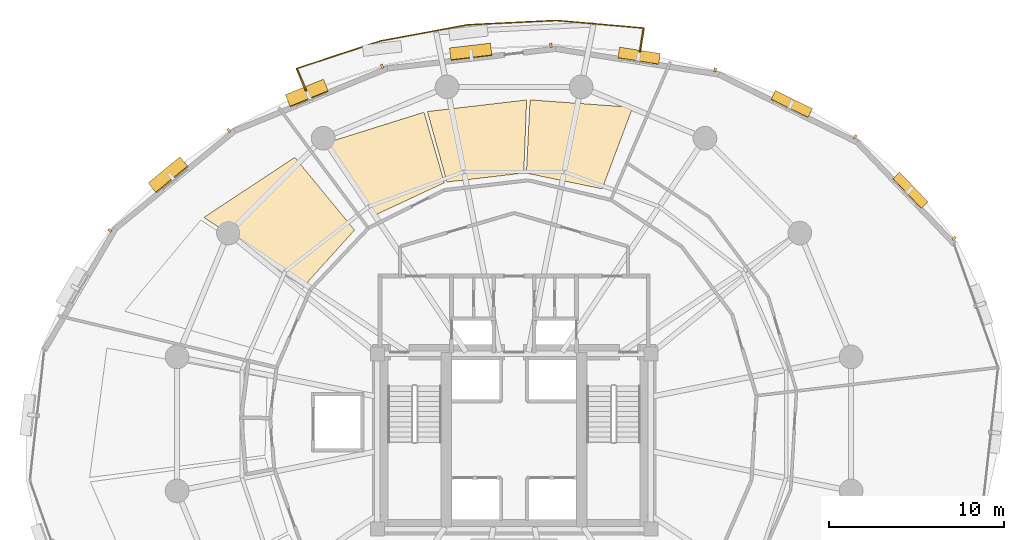
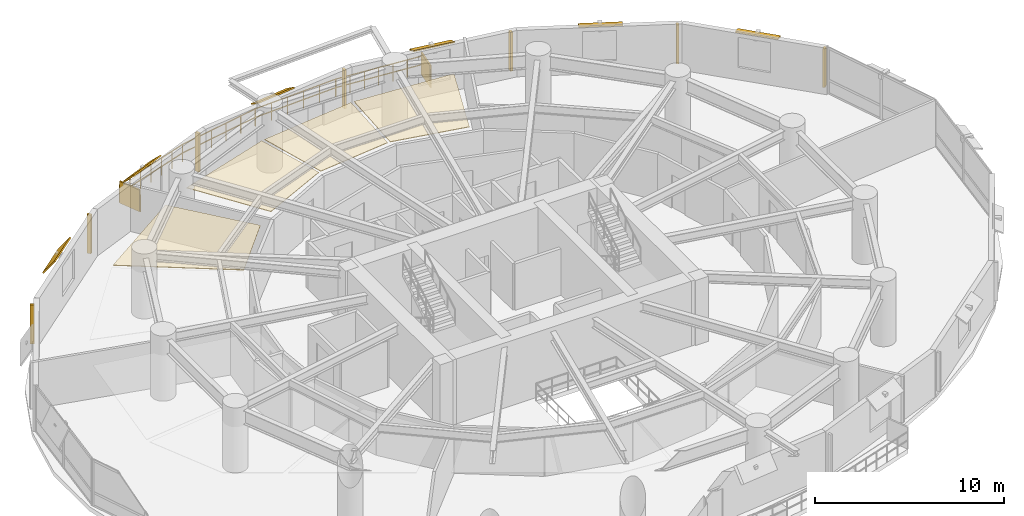
# One storey, part 17 of 17: 15 shading devices, 4 coverings, 1 railing.
"""IFC4 building model written with IfcOpenShell, lengths in metres."""

from ifc_helpers import new_model, si_unit, direction, frame, origin, origin_2d, place, context, subcontext, project, spatial, polyline, rectangle, outline, extrude, material, layer, layer_set, type_object, element, save


model = new_model("IFC4")

# Units and contexts
model_context = context("Model", 3, precision=1e-05, world=origin(), true_north=direction((0.0, 1.0)))
body_context = subcontext(model_context, "Body", "Model", "MODEL_VIEW")
ifc_project = project(units=[si_unit("LENGTHUNIT", "METRE"), si_unit("AREAUNIT", "SQUARE_METRE"), si_unit("VOLUMEUNIT", "CUBIC_METRE"), si_unit("PLANEANGLEUNIT", "RADIAN"), si_unit("MASSUNIT", "GRAM", prefix="KILO"), si_unit("THERMODYNAMICTEMPERATUREUNIT", "KELVIN"), si_unit("POWERUNIT", "WATT")], contexts=[model_context])

# Site, building, storey
site_placement = place(None, origin())
site = spatial("IfcSite", under=ifc_project, at=site_placement, CompositionType="ELEMENT")
building_placement = place(site_placement, origin())
building = spatial("IfcBuilding", under=site, at=building_placement, Name="Ocrelia Relay Tower", CompositionType="ELEMENT")
storey_placement = place(building_placement, frame((0.0, 0.0, 59.39990234375)))
storey = spatial("IfcBuildingStorey", under=building, at=storey_placement, Name="L13", CompositionType="ELEMENT", Elevation=59.39990234375)

# Coverings
ifc_material_1 = material(Name="Mineral-fiber acoustic ceiling tile", Category="gypsum")
ifc_layer_1 = layer(ifc_material_1, 0.0400390625, Name="Mineral-fiber acoustic ceiling tile")
ifc_layer_set_1 = layer_set([ifc_layer_1], Name="Mineral-fiber acoustic ceiling tile")
covering_type = type_object("IfcCoveringType", Name="COV-CEIL-ACOUSTIC", PredefinedType="CEILING", material=ifc_layer_set_1)
covering_1_placement = place(storey_placement, frame((0.0, 0.0, 2.920166015625)))
element("IfcCovering", 1, at=covering_1_placement, inside=storey, type_object=covering_type, Name="L13 Shift Staff Lounge Suspended Ceiling 1", PredefinedType="CEILING", context=body_context, shape_type="SweptSolid", body=[
    extrude(outline(polyline([(39.026611328125, 39.40869140625), (40.771240234375, 44.062255859375), (34.909423828125, 44.48583984375), (34.70361328125, 40.302734375), (39.026611328125, 39.40869140625)])), origin(), (0.0, 0.0, 1.0), 0.0400390625),
])
covering_2_placement = place(storey_placement, frame((0.0, 0.0, 2.920166015625)))
element("IfcCovering", 2, at=covering_2_placement, inside=storey, type_object=covering_type, Name="L13 Shift Staff Lounge Suspended Ceiling 2", PredefinedType="CEILING", context=body_context, shape_type="SweptSolid", body=[
    extrude(outline(polyline([(34.553955078125, 40.309326171875), (34.71533203125, 44.481201171875), (29.05224609375, 43.82080078125), (30.169189453125, 39.798095703125), (34.553955078125, 40.309326171875)])), origin(), (0.0, 0.0, 1.0), 0.0400390625),
])
covering_3_placement = place(storey_placement, frame((0.0, 0.0, 2.920166015625)))
element("IfcCovering", 3, at=covering_3_placement, inside=storey, type_object=covering_type, Name="L13 Shift Staff Lounge Suspended Ceiling 3", PredefinedType="CEILING", context=body_context, shape_type="SweptSolid", body=[
    extrude(outline(polyline([(30.02490234375, 39.757080078125), (28.8623046875, 43.781005859375), (23.255126953125, 42.02001953125), (26.0234375, 37.892578125), (30.02490234375, 39.757080078125)])), origin(), (0.0, 0.0, 1.0), 0.0400390625),
])
covering_4_placement = place(storey_placement, frame((0.0, 0.0, 2.920166015625)))
element("IfcCovering", 4, at=covering_4_placement, inside=storey, type_object=covering_type, Name="L13 Executive Reading Study Suspended Ceiling 1", PredefinedType="CEILING", context=body_context, shape_type="SweptSolid", body=[
    extrude(outline(polyline([(24.90087890625, 37.0576171875), (21.489990234375, 41.202880859375), (16.302978515625, 37.780029296875), (22.07958984375, 33.93505859375), (24.90087890625, 37.0576171875)])), origin(), (0.0, 0.0, 1.0), 0.0400390625),
])

# Railing
ifc_material_2 = material(Name="Steel S355 balustrade", Category="steel")
railing_type = type_object("IfcRailingType", Name="RL-EXT-GUARD-1150", PredefinedType="GUARDRAIL", material=ifc_material_2)
railing_placement = place(storey_placement, frame((22.13671875, 44.986328125, 0.0)))
element("IfcRailing", 5, at=railing_placement, inside=storey, type_object=railing_type, Name="L13 Loggia Balcony Guard Rail B1", PredefinedType="GUARDRAIL", context=body_context, shape_type="SweptSolid", body=[
    extrude(rectangle(XDim=0.048095703125, YDim=0.048095703125, at=origin_2d()), frame((0.0, 0.0, 1.1259765625), z_axis=(-0.379683250356, 0.92511654909, 0.0), x_axis=(-0.92511654909, -0.379683250356, 0.0)), (0.0, 0.0, 1.0), 1.393310546875),
    extrude(rectangle(XDim=0.048095703125, YDim=0.048095703125, at=origin_2d()), frame((0.0, 0.0, 0.574951171875), z_axis=(-0.379683250356, 0.92511654909, 0.0), x_axis=(-0.92511654909, -0.379683250356, 0.0)), (0.0, 0.0, 1.0), 1.393310546875),
    extrude(rectangle(XDim=0.048095703125, YDim=0.048095703125, at=origin_2d()), frame((-0.529052734375, 1.2890625, 1.1259765625), z_axis=(0.949547118099, 0.31362440994, 0.0), x_axis=(-0.31362440994, 0.949547118099, 0.0)), (0.0, 0.0, 1.0), 2.505126953125),
    extrude(rectangle(XDim=0.048095703125, YDim=0.048095703125, at=origin_2d()), frame((-0.529052734375, 1.2890625, 0.574951171875), z_axis=(0.949547118099, 0.31362440994, 0.0), x_axis=(-0.31362440994, 0.949547118099, 0.0)), (0.0, 0.0, 1.0), 2.505126953125),
    extrude(rectangle(XDim=0.048095703125, YDim=0.048095703125, at=origin_2d()), frame((1.849609375, 2.07470703125, 1.1259765625), z_axis=(0.949547118099, 0.31362440994, 0.0), x_axis=(-0.31362440994, 0.949547118099, 0.0)), (0.0, 0.0, 1.0), 2.505126953125),
    extrude(rectangle(XDim=0.048095703125, YDim=0.048095703125, at=origin_2d()), frame((1.849609375, 2.07470703125, 0.574951171875), z_axis=(0.949547118099, 0.31362440994, 0.0), x_axis=(-0.31362440994, 0.949547118099, 0.0)), (0.0, 0.0, 1.0), 2.505126953125),
    extrude(rectangle(XDim=0.048095703125, YDim=0.048095703125, at=origin_2d()), frame((4.228271484375, 2.8603515625, 1.1259765625), z_axis=(0.983288716577, 0.182053013849, 0.0), x_axis=(-0.182053013849, 0.983288716577, 0.0)), (0.0, 0.0, 1.0), 5.065185546875),
    extrude(rectangle(XDim=0.048095703125, YDim=0.048095703125, at=origin_2d()), frame((4.228271484375, 2.8603515625, 0.574951171875), z_axis=(0.983288716577, 0.182053013849, 0.0), x_axis=(-0.182053013849, 0.983288716577, 0.0)), (0.0, 0.0, 1.0), 5.065185546875),
    extrude(rectangle(XDim=0.048095703125, YDim=0.048095703125, at=origin_2d()), frame((9.208740234375, 3.782470703125, 1.1259765625), z_axis=(0.998797716958, 0.049021634002, 0.0), x_axis=(-0.049021634002, 0.998797716958, 0.0)), (0.0, 0.0, 1.0), 5.06494140625),
    extrude(rectangle(XDim=0.048095703125, YDim=0.048095703125, at=origin_2d()), frame((9.208740234375, 3.782470703125, 0.574951171875), z_axis=(0.998797716958, 0.049021634002, 0.0), x_axis=(-0.049021634002, 0.998797716958, 0.0)), (0.0, 0.0, 1.0), 5.06494140625),
    extrude(rectangle(XDim=0.048095703125, YDim=0.048095703125, at=origin_2d()), frame((14.267578125, 4.03076171875, 1.1259765625), z_axis=(0.99623107395, -0.086738960655, 0.0), x_axis=(0.086738960655, 0.99623107395, 0.0)), (0.0, 0.0, 1.0), 2.505126953125),
    extrude(rectangle(XDim=0.048095703125, YDim=0.048095703125, at=origin_2d()), frame((14.267578125, 4.03076171875, 0.574951171875), z_axis=(0.99623107395, -0.086738960655, 0.0), x_axis=(0.086738960655, 0.99623107395, 0.0)), (0.0, 0.0, 1.0), 2.505126953125),
    extrude(rectangle(XDim=0.048095703125, YDim=0.048095703125, at=origin_2d()), frame((16.76318359375, 3.8134765625, 1.1259765625), z_axis=(0.99623107395, -0.086738960655, 0.0), x_axis=(0.086738960655, 0.99623107395, 0.0)), (0.0, 0.0, 1.0), 2.505126953125),
    extrude(rectangle(XDim=0.048095703125, YDim=0.048095703125, at=origin_2d()), frame((16.76318359375, 3.8134765625, 0.574951171875), z_axis=(0.99623107395, -0.086738960655, 0.0), x_axis=(0.086738960655, 0.99623107395, 0.0)), (0.0, 0.0, 1.0), 2.505126953125),
    extrude(rectangle(XDim=0.048095703125, YDim=0.048095703125, at=origin_2d()), frame((19.2587890625, 3.59619140625, 1.1259765625), z_axis=(-0.156637330586, -0.987656188492, 0.0), x_axis=(0.987656188492, -0.156637330586, 0.0)), (0.0, 0.0, 1.0), 1.393310546875),
    extrude(rectangle(XDim=0.048095703125, YDim=0.048095703125, at=origin_2d()), frame((19.2587890625, 3.59619140625, 0.574951171875), z_axis=(-0.156637330586, -0.987656188492, 0.0), x_axis=(0.987656188492, -0.156637330586, 0.0)), (0.0, 0.0, 1.0), 1.393310546875),
    extrude(rectangle(XDim=0.0419921875, YDim=0.0419921875, at=origin_2d()), origin(), (0.0, 0.0, 1.0), 1.101806640625),
    extrude(rectangle(XDim=0.0419921875, YDim=0.0419921875, at=origin_2d()), frame((-0.2646484375, 0.64453125, 0.0)), (0.0, 0.0, 1.0), 1.101806640625),
    extrude(rectangle(XDim=0.0419921875, YDim=0.0419921875, at=origin_2d()), frame((-0.529052734375, 1.2890625, 0.0)), (0.0, 0.0, 1.0), 1.101806640625),
    extrude(rectangle(XDim=0.0419921875, YDim=0.0419921875, at=origin_2d()), frame((0.263916015625, 1.551025390625, 0.0)), (0.0, 0.0, 1.0), 1.101806640625),
    extrude(rectangle(XDim=0.0419921875, YDim=0.0419921875, at=origin_2d()), frame((1.056640625, 1.812744140625, 0.0)), (0.0, 0.0, 1.0), 1.101806640625),
    extrude(rectangle(XDim=0.0419921875, YDim=0.0419921875, at=origin_2d()), frame((1.849609375, 2.07470703125, 0.0)), (0.0, 0.0, 1.0), 1.101806640625),
    extrude(rectangle(XDim=0.0419921875, YDim=0.0419921875, at=origin_2d()), frame((2.642578125, 2.336669921875, 0.0)), (0.0, 0.0, 1.0), 1.101806640625),
    extrude(rectangle(XDim=0.0419921875, YDim=0.0419921875, at=origin_2d()), frame((3.435302734375, 2.598388671875, 0.0)), (0.0, 0.0, 1.0), 1.101806640625),
    extrude(rectangle(XDim=0.0419921875, YDim=0.0419921875, at=origin_2d()), frame((4.228271484375, 2.8603515625, 0.0)), (0.0, 0.0, 1.0), 1.101806640625),
    extrude(rectangle(XDim=0.0419921875, YDim=0.0419921875, at=origin_2d()), frame((5.224365234375, 3.044677734375, 0.0)), (0.0, 0.0, 1.0), 1.101806640625),
    extrude(rectangle(XDim=0.0419921875, YDim=0.0419921875, at=origin_2d()), frame((6.220458984375, 3.229248046875, 0.0)), (0.0, 0.0, 1.0), 1.101806640625),
    extrude(rectangle(XDim=0.0419921875, YDim=0.0419921875, at=origin_2d()), frame((7.216552734375, 3.41357421875, 0.0)), (0.0, 0.0, 1.0), 1.101806640625),
    extrude(rectangle(XDim=0.0419921875, YDim=0.0419921875, at=origin_2d()), frame((8.212646484375, 3.59814453125, 0.0)), (0.0, 0.0, 1.0), 1.101806640625),
    extrude(rectangle(XDim=0.0419921875, YDim=0.0419921875, at=origin_2d()), frame((9.208740234375, 3.782470703125, 0.0)), (0.0, 0.0, 1.0), 1.101806640625),
    extrude(rectangle(XDim=0.0419921875, YDim=0.0419921875, at=origin_2d()), frame((10.220458984375, 3.83203125, 0.0)), (0.0, 0.0, 1.0), 1.101806640625),
    extrude(rectangle(XDim=0.0419921875, YDim=0.0419921875, at=origin_2d()), frame((11.232177734375, 3.8818359375, 0.0)), (0.0, 0.0, 1.0), 1.101806640625),
    extrude(rectangle(XDim=0.0419921875, YDim=0.0419921875, at=origin_2d()), frame((12.244140625, 3.931396484375, 0.0)), (0.0, 0.0, 1.0), 1.101806640625),
    extrude(rectangle(XDim=0.0419921875, YDim=0.0419921875, at=origin_2d()), frame((13.255859375, 3.981201171875, 0.0)), (0.0, 0.0, 1.0), 1.101806640625),
    extrude(rectangle(XDim=0.0419921875, YDim=0.0419921875, at=origin_2d()), frame((14.267578125, 4.03076171875, 0.0)), (0.0, 0.0, 1.0), 1.101806640625),
    extrude(rectangle(XDim=0.0419921875, YDim=0.0419921875, at=origin_2d()), frame((15.099365234375, 3.958251953125, 0.0)), (0.0, 0.0, 1.0), 1.101806640625),
    extrude(rectangle(XDim=0.0419921875, YDim=0.0419921875, at=origin_2d()), frame((15.931396484375, 3.885986328125, 0.0)), (0.0, 0.0, 1.0), 1.101806640625),
    extrude(rectangle(XDim=0.0419921875, YDim=0.0419921875, at=origin_2d()), frame((16.76318359375, 3.8134765625, 0.0)), (0.0, 0.0, 1.0), 1.101806640625),
    extrude(rectangle(XDim=0.0419921875, YDim=0.0419921875, at=origin_2d()), frame((17.594970703125, 3.740966796875, 0.0)), (0.0, 0.0, 1.0), 1.101806640625),
    extrude(rectangle(XDim=0.0419921875, YDim=0.0419921875, at=origin_2d()), frame((18.427001953125, 3.668701171875, 0.0)), (0.0, 0.0, 1.0), 1.101806640625),
    extrude(rectangle(XDim=0.0419921875, YDim=0.0419921875, at=origin_2d()), frame((19.2587890625, 3.59619140625, 0.0)), (0.0, 0.0, 1.0), 1.101806640625),
    extrude(rectangle(XDim=0.0419921875, YDim=0.0419921875, at=origin_2d()), frame((19.149658203125, 2.908203125, 0.0)), (0.0, 0.0, 1.0), 1.101806640625),
    extrude(rectangle(XDim=0.0419921875, YDim=0.0419921875, at=origin_2d()), frame((19.04052734375, 2.219970703125, 0.0)), (0.0, 0.0, 1.0), 1.101806640625),
])

# Shading devices
ifc_material_3 = material(Name="Perforated oxide terracotta solar screen", Category="masonry")
ifc_layer_2 = layer(ifc_material_3, 0.090087890625, Name="Perforated oxide terracotta solar screen")
ifc_layer_set_2 = layer_set([ifc_layer_2], Name="Perforated oxide terracotta solar screen")
shading_device_type_1 = type_object("IfcShadingDeviceType", Name="SH-BALC-SCREEN", PredefinedType="USERDEFINED", material=ifc_layer_set_2)
for number, where, z_axis, x_axis, name in (
    (6, (41.286376953125, 47.894287109375, 0.000244140625), (0.0, 0.0, 1.0), (0.156655324387, 0.987653334597, 0.0), "L13 Balcony Perforated Terracotta Screen B1-1"),
    (7, (21.872314453125, 45.630859375, 0.000244140625), (0.0, 0.0, 1.0), (-0.379702827412, 0.925108514097, 0.0), "L13 Balcony Perforated Terracotta Screen B1-2"),
):
    element("IfcShadingDevice", number, at=place(storey_placement, frame(where, z_axis=z_axis, x_axis=x_axis)), inside=storey, type_object=shading_device_type_1, Name=name, ObjectType="SCREEN", PredefinedType="USERDEFINED", context=body_context, shape_type="SweptSolid", body=[
        extrude(rectangle(XDim=1.340087890625, YDim=0.090087890625, at=origin_2d()), origin(), (0.0, 0.0, 1.0), 1.39990234375),
    ])
ifc_material_4 = material(Name="Extruded oxide terracotta vertical baguette", Category="masonry")
shading_device_type_2 = type_object("IfcShadingDeviceType", Name="SH-TERR-BAGUETTE", PredefinedType="USERDEFINED", material=ifc_material_4)
for number, where, z_axis, x_axis, name in (
    (8, (59.10498046875, 36.593505859375, 0.25), (0.0, 0.0, 1.0), (-0.690249189183, 0.723571735788, 0.0), "L13 Oxide Terracotta Vertical Baguette 02"),
    (9, (53.452880859375, 42.37744140625, 0.25), (0.0, 0.0, 1.0), (-0.898124221802, 0.439741835867, 0.0), "L13 Oxide Terracotta Vertical Baguette 03"),
    (10, (45.468994140625, 46.1962890625, 0.25), (0.0, 0.0, 1.0), (-0.987872821917, 0.155265217345, 0.0), "L13 Oxide Terracotta Vertical Baguette 04"),
    (11, (36.100830078125, 47.594970703125, 0.25), (0.0, 0.0, 1.0), (-0.993271739669, -0.115806956502, 0.0), "L13 Oxide Terracotta Vertical Baguette 05"),
    (12, (26.466796875, 46.398193359375, 0.25), (0.0, 0.0, 1.0), (-0.92566073455, -0.378354601547, 0.0), "L13 Oxide Terracotta Vertical Baguette 06"),
    (13, (17.72607421875, 42.738037109375, 0.25), (0.0, 0.0, 1.0), (-0.772875849251, -0.634557264275, 0.0), "L13 Oxide Terracotta Vertical Baguette 07"),
    (14, (10.94189453125, 37.042236328125, 0.25), (0.0, 0.0, 1.0), (-0.5052648016, -0.862964356311, 0.0), "L13 Oxide Terracotta Vertical Baguette 08"),
):
    element("IfcShadingDevice", number, at=place(storey_placement, frame(where, z_axis=z_axis, x_axis=x_axis)), inside=storey, type_object=shading_device_type_2, Name=name, ObjectType="BAGUETTE", PredefinedType="USERDEFINED", context=body_context, shape_type="SweptSolid", body=[
        extrude(rectangle(XDim=0.139892578125, YDim=0.239990234375, at=origin_2d()), origin(), (0.0, 0.0, 1.0), 2.5),
    ])
ifc_material_5 = material(Name="Extruded oxide terracotta fin", Category="masonry")
ifc_layer_3 = layer(ifc_material_5, 0.080078125, Name="Extruded oxide terracotta fin")
ifc_layer_set_3 = layer_set([ifc_layer_3], Name="Extruded oxide terracotta fin")
shading_device_type_3 = type_object("IfcShadingDeviceType", Name="SH-VISOR-FIN-MED", PredefinedType="USERDEFINED", material=ifc_layer_set_3)
shading_device_1_placement = place(storey_placement, frame((31.5283203125, 47.200927734375, 2.80712890625), z_axis=(-0.065493802436, 0.561737783706, 0.82471887586), x_axis=(-0.993271739669, -0.115806956502, 0.0)))
element("IfcShadingDevice", 15, at=shading_device_1_placement, inside=storey, type_object=shading_device_type_3, Name="L13 Canted Terracotta Sun-Visor Fin 05", ObjectType="FIN", PredefinedType="USERDEFINED", context=body_context, shape_type="SweptSolid", body=[
    extrude(rectangle(XDim=2.35009765625, YDim=0.823974609375, at=origin_2d()), origin(), (0.0, 0.0, 1.0), 0.080078125),
])
shading_device_2_placement = place(storey_placement, frame((22.19384765625, 44.841064453125, 2.811767578125), z_axis=(-0.267303532439, 0.653969538559, 0.707723578937), x_axis=(-0.92566073455, -0.378354601547, 0.0)))
element("IfcShadingDevice", 16, at=shading_device_2_placement, inside=storey, type_object=shading_device_type_3, Name="L13 Canted Terracotta Sun-Visor Fin 06", ObjectType="FIN", PredefinedType="USERDEFINED", context=body_context, shape_type="SweptSolid", body=[
    extrude(rectangle(XDim=2.35009765625, YDim=0.9990234375, at=origin_2d()), origin(), (0.0, 0.0, 1.0), 0.080078125),
])
shading_device_3_placement = place(storey_placement, frame((14.2900390625, 40.1787109375, 2.81640625), z_axis=(-0.511604274269, 0.623121994212, 0.591591114605), x_axis=(-0.772875849251, -0.634557264275, 0.0)))
element("IfcShadingDevice", 17, at=shading_device_3_placement, inside=storey, type_object=shading_device_type_3, Name="L13 Canted Terracotta Sun-Visor Fin 07", ObjectType="FIN", PredefinedType="USERDEFINED", context=body_context, shape_type="SweptSolid", body=[
    extrude(rectangle(XDim=2.35009765625, YDim=1.14501953125, at=origin_2d()), origin(), (0.0, 0.0, 1.0), 0.080078125),
])
ifc_layer_4 = layer(ifc_material_5, 0.080078125, Name="Extruded oxide terracotta fin")
ifc_layer_set_4 = layer_set([ifc_layer_4], Name="Extruded oxide terracotta fin")
shading_device_type_4 = type_object("IfcShadingDeviceType", Name="SH-VISOR-FIN-SHAL", PredefinedType="USERDEFINED", material=ifc_layer_set_4)
shading_device_4_placement = place(storey_placement, frame((56.59765625, 39.314453125, 2.802001953125), z_axis=(0.224916717899, 0.214558660165, 0.950461493885), x_axis=(-0.690249189183, 0.723571735788, 0.0)))
element("IfcShadingDevice", 18, at=shading_device_4_placement, inside=storey, type_object=shading_device_type_4, Name="L13 Canted Terracotta Sun-Visor Fin 02", ObjectType="FIN", PredefinedType="USERDEFINED", context=body_context, shape_type="SweptSolid", body=[
    extrude(rectangle(XDim=2.35009765625, YDim=0.552001953125, at=origin_2d()), origin(), (0.0, 0.0, 1.0), 0.080078125),
])
shading_device_5_placement = place(storey_placement, frame((49.824951171875, 44.230712890625, 2.802490234375), z_axis=(0.150977385912, 0.308354666697, 0.939214154743), x_axis=(-0.898124221802, 0.439741835867, 0.0)))
element("IfcShadingDevice", 19, at=shading_device_5_placement, inside=storey, type_object=shading_device_type_4, Name="L13 Canted Terracotta Sun-Visor Fin 03", ObjectType="FIN", PredefinedType="USERDEFINED", context=body_context, shape_type="SweptSolid", body=[
    extrude(rectangle(XDim=2.35009765625, YDim=0.5849609375, at=origin_2d()), origin(), (0.0, 0.0, 1.0), 0.080078125),
])
shading_device_6_placement = place(storey_placement, frame((41.12744140625, 46.97607421875, 2.803955078125), z_axis=(0.066598706715, 0.423733360654, 0.903335292863), x_axis=(-0.987872821917, 0.155265217345, 0.0)))
element("IfcShadingDevice", 20, at=shading_device_6_placement, inside=storey, type_object=shading_device_type_4, Name="L13 Canted Terracotta Sun-Visor Fin 04", ObjectType="FIN", PredefinedType="USERDEFINED", context=body_context, shape_type="SweptSolid", body=[
    extrude(rectangle(XDim=2.35009765625, YDim=0.673095703125, at=origin_2d()), origin(), (0.0, 0.0, 1.0), 0.080078125),
])

save(model, "model.ifc")
